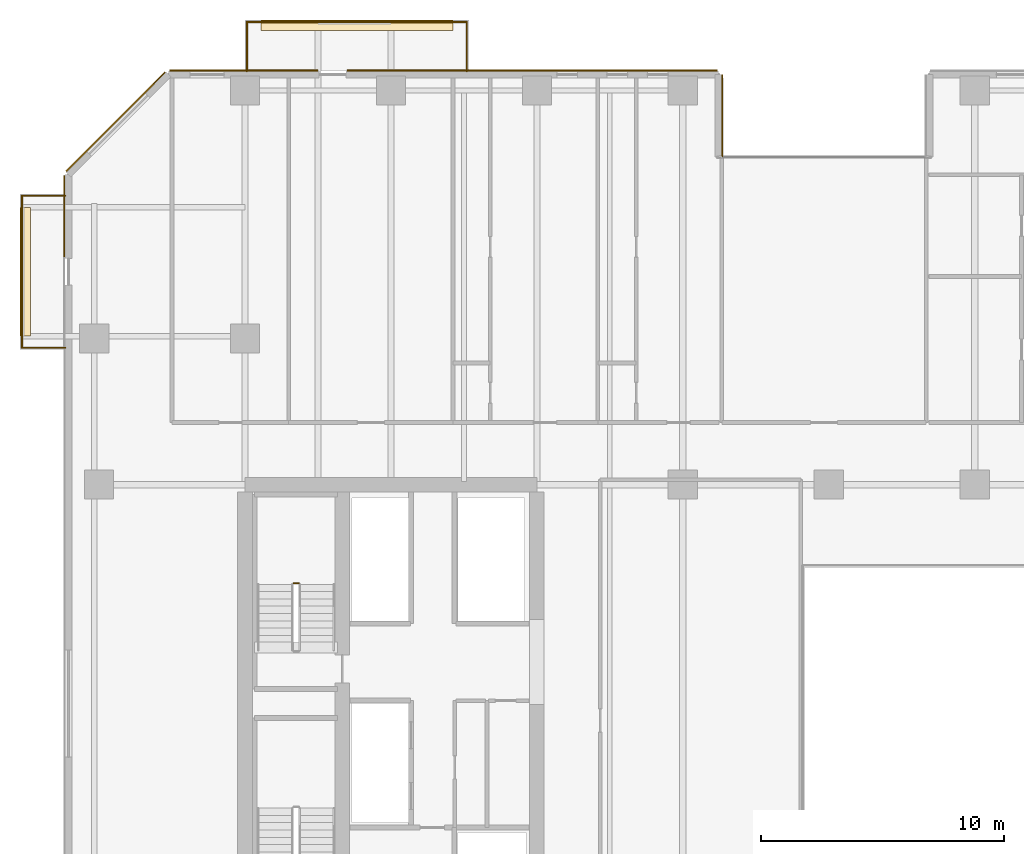
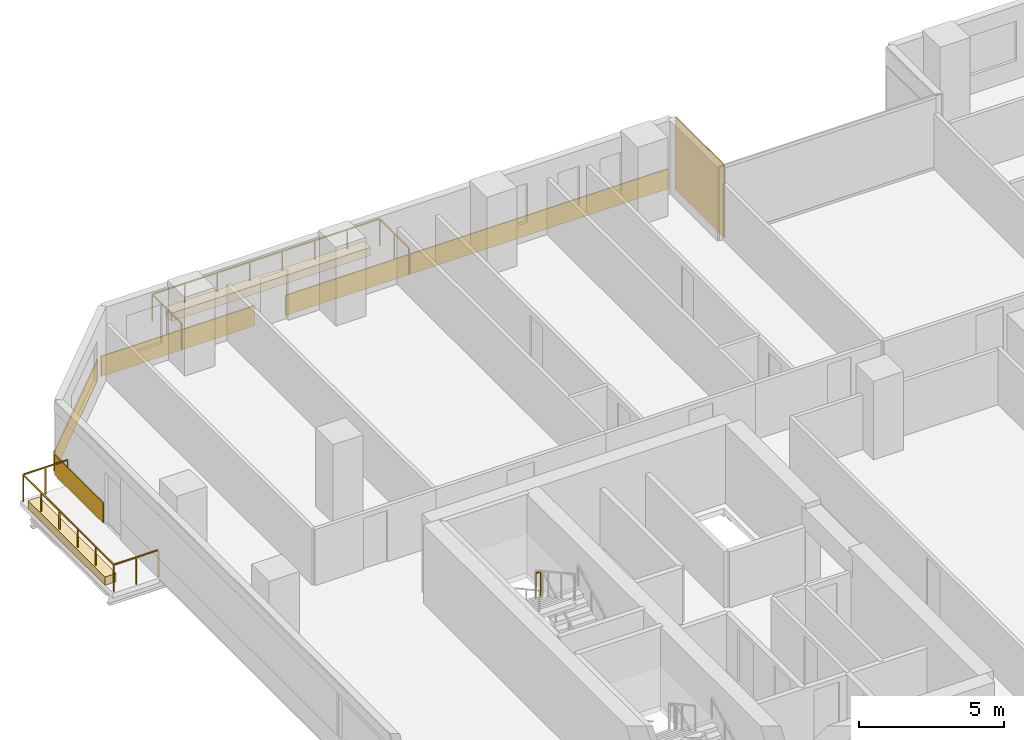
# One storey, part 22 of 26: 7 coverings, 3 railings.
"""IFC4 building model written with IfcOpenShell, lengths in metres."""

from ifc_helpers import new_model, si_unit, direction, frame, origin, origin_2d, place, context, subcontext, project, spatial, polyline, rectangle, outline, extrude, material, layer, layer_set, type_object, element, save


model = new_model("IFC4")

# Units and contexts
model_context = context("Model", 3, precision=1e-05, world=origin(), true_north=direction((0.0, 1.0)))
body_context = subcontext(model_context, "Body", "Model", "MODEL_VIEW")
ifc_project = project(units=[si_unit("LENGTHUNIT", "METRE"), si_unit("AREAUNIT", "SQUARE_METRE"), si_unit("VOLUMEUNIT", "CUBIC_METRE"), si_unit("PLANEANGLEUNIT", "RADIAN"), si_unit("MASSUNIT", "GRAM", prefix="KILO")], contexts=[model_context])

# Site, building, storey
site_placement = place(None, origin())
site = spatial("IfcSite", under=ifc_project, at=site_placement, CompositionType="ELEMENT")
building_placement = place(site_placement, origin())
building = spatial("IfcBuilding", under=site, at=building_placement, Name="Tanjung Sevakor Pilgrim Tower", CompositionType="ELEMENT")
storey_placement = place(building_placement, frame((0.0, 0.0, 45.5400390625)))
storey = spatial("IfcBuildingStorey", under=building, at=storey_placement, Name="L12", CompositionType="ELEMENT", Elevation=45.5400390625)

# Coverings
ifc_material_1 = material(Name="Reconstructed Limestone Cladding", Category="masonry")
ifc_layer_1 = layer(ifc_material_1, 0.044921875)
ifc_layer_set_1 = layer_set([ifc_layer_1], Name="COV-CLAD-LIMESTONE")
covering_type_1 = type_object("IfcCoveringType", Name="COV-CLAD-LIMESTONE", PredefinedType="CLADDING", material=ifc_layer_set_1)
covering_1_placement = place(storey_placement, frame((43.62255859375, 57.760009765625, 0.02001953125), z_axis=(0.0, 0.0, 1.0), x_axis=(0.0, 1.0, 0.0)))
element("IfcCovering", 1, at=covering_1_placement, inside=storey, type_object=covering_type_1, Name="L12 Warm Limestone Wall Cladding EW-L12-MAIN-12", PredefinedType="CLADDING", context=body_context, shape_type="SweptSolid", body=[
    extrude(rectangle(XDim=3.360107421875, YDim=0.044921875, at=origin_2d()), origin(), (0.0, 0.0, 1.0), 3.0400390625),
])
covering_2_placement = place(storey_placement, frame((35.81494140625, 59.62255859375, 0.009765625), z_axis=(0.0, 0.0, 1.0), x_axis=(-1.0, 0.0, 0.0)))
element("IfcCovering", 2, at=covering_2_placement, inside=storey, type_object=covering_type_1, Name="L12 Warm Limestone Sill Spandrel EW-L12-MAIN-13-1", PredefinedType="CLADDING", context=body_context, shape_type="SweptSolid", body=[
    extrude(rectangle(XDim=15.2099609375, YDim=0.044921875, at=origin_2d()), origin(), (0.0, 0.0, 1.0), 0.840087890625),
])
covering_3_placement = place(storey_placement, frame((23.944091796875, 59.62255859375, 0.009765625), z_axis=(0.0, 0.0, 1.0), x_axis=(-1.0, 0.0, 0.0)))
element("IfcCovering", 3, at=covering_3_placement, inside=storey, type_object=covering_type_1, Name="L12 Warm Limestone Sill Spandrel EW-L12-MAIN-13-2", PredefinedType="CLADDING", context=body_context, shape_type="SweptSolid", body=[
    extrude(rectangle(XDim=6.092041015625, YDim=0.044921875, at=origin_2d()), origin(), (0.0, 0.0, 1.0), 0.840087890625),
])
covering_4_placement = place(storey_placement, frame((18.68408203125, 57.515869140625, 0.009765625), z_axis=(0.0, 0.0, 1.0), x_axis=(-0.707106781187, -0.707106781187, 0.0)))
element("IfcCovering", 4, at=covering_4_placement, inside=storey, type_object=covering_type_1, Name="L12 Warm Limestone Sill Spandrel EW-CHM-L12-MAIN-13-1", PredefinedType="CLADDING", context=body_context, shape_type="SweptSolid", body=[
    extrude(rectangle(XDim=5.74365234375, YDim=0.044921875, at=origin_2d()), origin(), (0.0, 0.0, 1.0), 0.840087890625),
])
covering_5_placement = place(storey_placement, frame((16.577392578125, 53.631103515625, 0.009765625), z_axis=(0.0, 0.0, 1.0), x_axis=(0.0, -1.0, 0.0)))
element("IfcCovering", 5, at=covering_5_placement, inside=storey, type_object=covering_type_1, Name="L12 Warm Limestone Sill Spandrel EW-L12-MAIN-15-1", PredefinedType="CLADDING", context=body_context, shape_type="SweptSolid", body=[
    extrude(rectangle(XDim=3.342041015625, YDim=0.044921875, at=origin_2d()), origin(), (0.0, 0.0, 1.0), 0.840087890625),
])
ifc_material_2 = material(Name="Vegetated Modular Planter Assembly", Category="organic")
ifc_layer_2 = layer(ifc_material_2, 0.35009765625)
ifc_layer_set_2 = layer_set([ifc_layer_2], Name="COV-GRN-TROUGH")
covering_type_2 = type_object("IfcCoveringType", Name="COV-GRN-TROUGH", PredefinedType="CLADDING", material=ifc_layer_set_2)
covering_6_placement = place(storey_placement, origin())
element("IfcCovering", 6, at=covering_6_placement, inside=storey, type_object=covering_type_2, Name="L12 Planted Landscape Hedge Trough BGRN-L12-MAIN-N1", PredefinedType="CLADDING", context=body_context, shape_type="SweptSolid", body=[
    extrude(outline(polyline([(24.64990234375, 61.260009765625), (32.550048828125, 61.260009765625), (32.550048828125, 61.699951171875), (24.64990234375, 61.699951171875), (24.64990234375, 61.260009765625)])), origin(), (0.0, 0.0, 1.0), 0.349853515625),
])
covering_7_placement = place(storey_placement, origin())
element("IfcCovering", 7, at=covering_7_placement, inside=storey, type_object=covering_type_2, Name="L12 Planted Landscape Hedge Trough BGRN-L12-MAIN-W2", PredefinedType="CLADDING", context=body_context, shape_type="SweptSolid", body=[
    extrude(outline(polyline([(15.18994140625, 48.699951171875), (15.18994140625, 54.0), (14.75, 54.0), (14.75, 48.699951171875), (15.18994140625, 48.699951171875)])), origin(), (0.0, 0.0, 1.0), 0.349853515625),
])

# Railings
ifc_material_3 = material(Name="Laminated Glass and Aluminium", Category="aluminium")
railing_type_1 = type_object("IfcRailingType", Name="RL-BAL-BALUST", PredefinedType="BALUSTRADE", material=ifc_material_3)
railing_1_placement = place(storey_placement, frame((24.080078125, 59.60009765625, 0.0)))
element("IfcRailing", 8, at=railing_1_placement, inside=storey, type_object=railing_type_1, Name="L12 Loggia Balustrade MAIN-N1", PredefinedType="BALUSTRADE", context=body_context, shape_type="SweptSolid", body=[
    extrude(rectangle(XDim=0.0479, YDim=0.0479), frame((0.0, 0.0, 1.1259765625), z_axis=(0.0, 1.0, 0.0), x_axis=(-1.0, 0.0, 0.0)), (0.0, 0.0, 1.0), 2.02001953125),
    extrude(rectangle(XDim=0.0479, YDim=0.0479), frame((0.0, 2.02001953125, 1.1259765625), z_axis=(1.0, 0.0, 0.0), x_axis=(0.0, 1.0, 0.0)), (0.0, 0.0, 1.0), 9.0400390625),
    extrude(rectangle(XDim=0.0479, YDim=0.0479), frame((9.0400390625, 2.02001953125, 1.1259765625), z_axis=(0.0, -1.0, 0.0), x_axis=(1.0, 0.0, 0.0)), (0.0, 0.0, 1.0), 2.02001953125),
    extrude(rectangle(XDim=0.042, YDim=0.042), origin(), (0.0, 0.0, 1.0), 1.101806640625),
    extrude(rectangle(XDim=0.042, YDim=0.042), frame((0.0, 1.010009765625, 0.0)), (0.0, 0.0, 1.0), 1.101806640625),
    extrude(rectangle(XDim=0.042, YDim=0.042), frame((0.0, 2.02001953125, 0.0)), (0.0, 0.0, 1.0), 1.101806640625),
    extrude(rectangle(XDim=0.042, YDim=0.042), frame((1.29150390625, 2.02001953125, 0.0)), (0.0, 0.0, 1.0), 1.101806640625),
    extrude(rectangle(XDim=0.042, YDim=0.042), frame((2.582763671875, 2.02001953125, 0.0)), (0.0, 0.0, 1.0), 1.101806640625),
    extrude(rectangle(XDim=0.042, YDim=0.042), frame((3.874267578125, 2.02001953125, 0.0)), (0.0, 0.0, 1.0), 1.101806640625),
    extrude(rectangle(XDim=0.042, YDim=0.042), frame((5.165771484375, 2.02001953125, 0.0)), (0.0, 0.0, 1.0), 1.101806640625),
    extrude(rectangle(XDim=0.042, YDim=0.042), frame((6.457275390625, 2.02001953125, 0.0)), (0.0, 0.0, 1.0), 1.101806640625),
    extrude(rectangle(XDim=0.042, YDim=0.042), frame((7.74853515625, 2.02001953125, 0.0)), (0.0, 0.0, 1.0), 1.101806640625),
    extrude(rectangle(XDim=0.042, YDim=0.042), frame((9.0400390625, 2.02001953125, 0.0)), (0.0, 0.0, 1.0), 1.101806640625),
    extrude(rectangle(XDim=0.042, YDim=0.042), frame((9.0400390625, 1.010009765625, 0.0)), (0.0, 0.0, 1.0), 1.101806640625),
    extrude(rectangle(XDim=0.042, YDim=0.042), frame((9.0400390625, 0.0, 0.0)), (0.0, 0.0, 1.0), 1.101806640625),
])
railing_2_placement = place(storey_placement, frame((16.60009765625, 48.22998046875, 0.0)))
element("IfcRailing", 9, at=railing_2_placement, inside=storey, type_object=railing_type_1, Name="L12 Loggia Balustrade MAIN-W2", PredefinedType="BALUSTRADE", context=body_context, shape_type="SweptSolid", body=[
    extrude(rectangle(XDim=0.0479, YDim=0.0479), frame((0.0, 0.0, 1.1259765625), z_axis=(-1.0, 0.0, 0.0), x_axis=(0.0, -1.0, 0.0)), (0.0, 0.0, 1.0), 1.77001953125),
    extrude(rectangle(XDim=0.0479, YDim=0.0479), frame((-1.77001953125, 0.0, 1.1259765625), z_axis=(0.0, 1.0, 0.0), x_axis=(-1.0, 0.0, 0.0)), (0.0, 0.0, 1.0), 6.239990234375),
    extrude(rectangle(XDim=0.0479, YDim=0.0479), frame((-1.77001953125, 6.239990234375, 1.1259765625), z_axis=(1.0, 0.0, 0.0), x_axis=(0.0, 1.0, 0.0)), (0.0, 0.0, 1.0), 1.77001953125),
    extrude(rectangle(XDim=0.042, YDim=0.042), origin(), (0.0, 0.0, 1.0), 1.101806640625),
    extrude(rectangle(XDim=0.042, YDim=0.042), frame((-0.885009765625, 0.0, 0.0)), (0.0, 0.0, 1.0), 1.101806640625),
    extrude(rectangle(XDim=0.042, YDim=0.042), frame((-1.77001953125, 0.0, 0.0)), (0.0, 0.0, 1.0), 1.101806640625),
    extrude(rectangle(XDim=0.042, YDim=0.042), frame((-1.77001953125, 1.248046875, 0.0)), (0.0, 0.0, 1.0), 1.101806640625),
    extrude(rectangle(XDim=0.042, YDim=0.042), frame((-1.77001953125, 2.49609375, 0.0)), (0.0, 0.0, 1.0), 1.101806640625),
    extrude(rectangle(XDim=0.042, YDim=0.042), frame((-1.77001953125, 3.743896484375, 0.0)), (0.0, 0.0, 1.0), 1.101806640625),
    extrude(rectangle(XDim=0.042, YDim=0.042), frame((-1.77001953125, 4.991943359375, 0.0)), (0.0, 0.0, 1.0), 1.101806640625),
    extrude(rectangle(XDim=0.042, YDim=0.042), frame((-1.77001953125, 6.239990234375, 0.0)), (0.0, 0.0, 1.0), 1.101806640625),
    extrude(rectangle(XDim=0.042, YDim=0.042), frame((-0.885009765625, 6.239990234375, 0.0)), (0.0, 0.0, 1.0), 1.101806640625),
    extrude(rectangle(XDim=0.042, YDim=0.042), frame((0.0, 6.239990234375, 0.0)), (0.0, 0.0, 1.0), 1.101806640625),
])
ifc_material_4 = material(Name="Steel S355J2", Category="steel")
railing_type_2 = type_object("IfcRailingType", Name="RL-STAIR-GUARD", PredefinedType="GUARDRAIL", material=ifc_material_4)
railing_3_placement = place(storey_placement, frame((26.199951171875, 38.550048828125, 1.64990234375)))
element("IfcRailing", 10, at=railing_3_placement, inside=storey, type_object=railing_type_2, Name="L12 TS-W2 stair guard 2", PredefinedType="GUARDRAIL", context=body_context, shape_type="SweptSolid", body=[
    extrude(rectangle(XDim=0.0479, YDim=0.0479), frame((0.0, 0.0, 1.076171875), z_axis=(-1.0, 0.0, 0.0), x_axis=(0.0, -1.0, 0.0)), (0.0, 0.0, 1.0), 0.199951171875),
    extrude(rectangle(XDim=0.042, YDim=0.042), origin(), (0.0, 0.0, 1.0), 1.052001953125),
    extrude(rectangle(XDim=0.042, YDim=0.042), frame((-0.199951171875, 0.0, 0.0)), (0.0, 0.0, 1.0), 1.052001953125),
])

save(model, "model.ifc")
